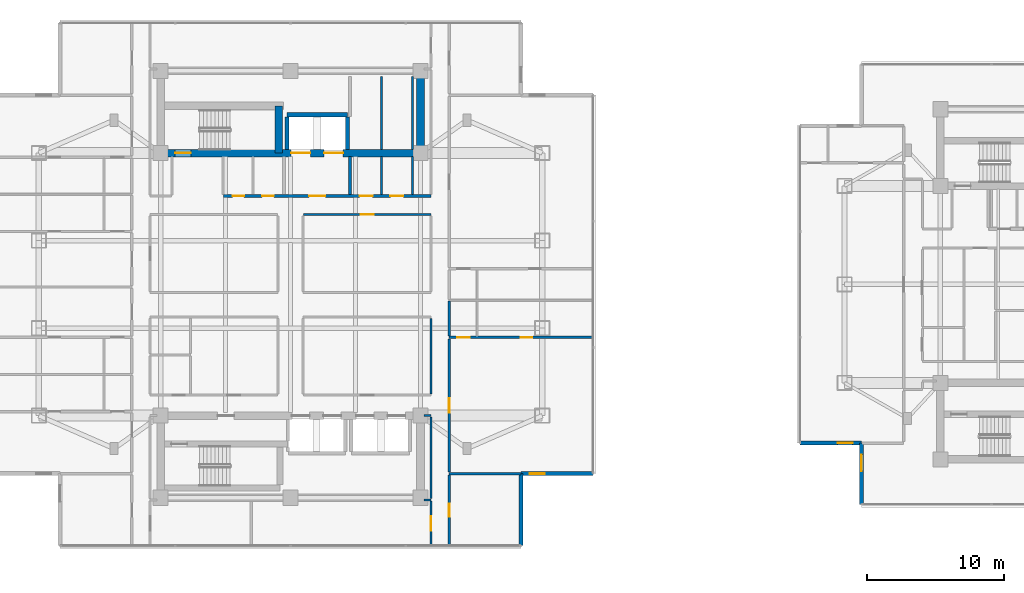
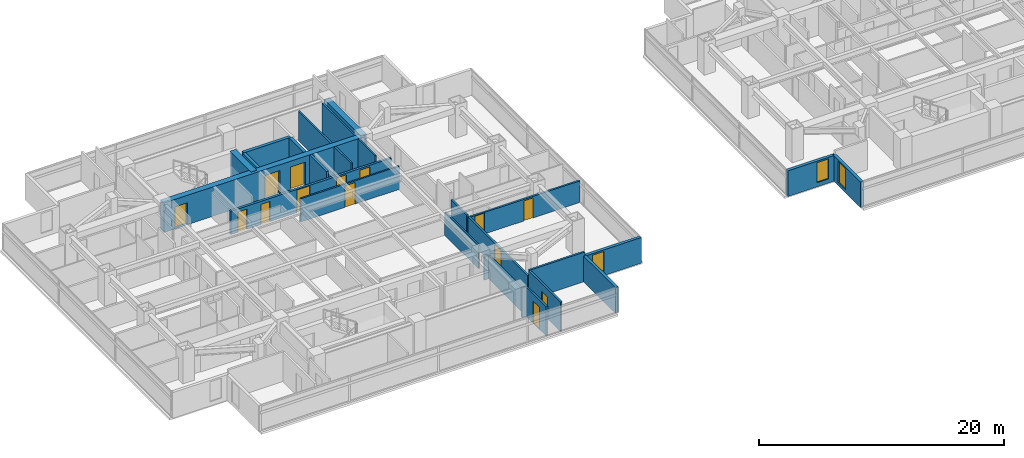
# One storey, part 15 of 24: 27 walls, 14 doors, 3 windows, 17 openings.
"""IFC4 building model written with IfcOpenShell, lengths in metres."""

from ifc_helpers import new_model, si_unit, direction, frame, frame_2d, origin, place, context, subcontext, project, spatial, rectangle, extrude, material, layer, layer_set, type_object, element, fill, save


model = new_model("IFC4")

# Units and contexts
model_context = context("Model", 3, precision=1e-05, world=origin(), true_north=direction((0.0, 1.0)))
body_context = subcontext(model_context, "Body", "Model", "MODEL_VIEW")
ifc_project = project(units=[si_unit("LENGTHUNIT", "METRE"), si_unit("AREAUNIT", "SQUARE_METRE"), si_unit("VOLUMEUNIT", "CUBIC_METRE"), si_unit("PLANEANGLEUNIT", "RADIAN"), si_unit("MASSUNIT", "GRAM", prefix="KILO")], contexts=[model_context])

# Site, building, storey
site_placement = place(None, origin())
site = spatial("IfcSite", under=ifc_project, at=site_placement, CompositionType="ELEMENT")
building_placement = place(site_placement, origin())
building = spatial("IfcBuilding", under=site, at=building_placement, Name="Mirazonda Arch Towers", CompositionType="ELEMENT")
storey_placement = place(building_placement, frame((0.0, 0.0, 144.5)))
storey = spatial("IfcBuildingStorey", under=building, at=storey_placement, Name="L41", CompositionType="ELEMENT", Elevation=144.5)

# Wall
ifc_material_1 = material(Name="Concrete C50/60", Category="concrete")
ifc_layer_1 = layer(ifc_material_1, 0.550048828125, Name="WALL-CORE-550")
ifc_layer_set_1 = layer_set([ifc_layer_1], Name="Concrete C50/60")
wall_type_1 = type_object("IfcWallType", Name="WALL-CORE-550", PredefinedType="SHEAR", material=ifc_layer_set_1)
wall_1_placement = place(storey_placement, frame((30.0, 37.60009765625, 0.0), z_axis=(0.0, 0.0, 1.0), x_axis=(0.0, 1.0, 0.0)))
element("IfcWall", 1, at=wall_1_placement, inside=storey, type_object=wall_type_1, Name="L41 T1N-E Core Shear Wall", PredefinedType="SHEAR", context=body_context, shape_type="SweptSolid", body=[
    extrude(rectangle(XDim=6.0, YDim=0.550048828125, at=frame_2d((3.0, 0.0))), origin(), (0.0, 0.0, 1.0), 2.93994140625),
])

# Wall, openings, doors
wall_2_placement = place(storey_placement, frame((11.0, 37.60009765625, 0.0), z_axis=(0.0, 0.0, 1.0), x_axis=(1.0, 0.0, 0.0)))
wall_2 = element("IfcWall", 2, at=wall_2_placement, inside=storey, type_object=wall_type_1, Name="L41 T1N-S Core Shear Wall", PredefinedType="SHEAR", context=body_context, shape_type="SweptSolid", body=[
    extrude(rectangle(XDim=19.0, YDim=0.550048828125, at=frame_2d((9.5, 0.0))), origin(), (0.0, 0.0, 1.0), 2.93994140625),
])
opening_1_placement = place(wall_2_placement, frame((1.06005859375, 0.0, 0.0)))
opening_1 = element("IfcOpeningElement", 3, at=opening_1_placement, cuts=wall_2, Name="Opening DR-135", PredefinedType="OPENING", context=body_context, shape_type="SweptSolid", body=[
    extrude(rectangle(XDim=1.14990234375, YDim=2.199951171875, at=frame_2d((0.574951171875, 1.10009765625))), frame((0.0, 0.284912109375, 0.0), z_axis=(0.0, -1.0, 0.0), x_axis=(1.0, 0.0, 0.0)), (0.0, 0.0, 1.0), 0.570068359375),
])
opening_2_placement = place(wall_2_placement, frame((9.550048828125, 0.0, 0.0)))
opening_2 = element("IfcOpeningElement", 4, at=opening_2_placement, cuts=wall_2, Name="Opening LD-112", PredefinedType="OPENING", context=body_context, shape_type="SweptSolid", body=[
    extrude(rectangle(XDim=1.39990234375, YDim=2.35009765625, at=frame_2d((0.699951171875, 1.175048828125))), frame((0.0, 0.284912109375, 0.0), z_axis=(0.0, -1.0, 0.0), x_axis=(1.0, 0.0, 0.0)), (0.0, 0.0, 1.0), 0.570068359375),
])
opening_3_placement = place(wall_2_placement, frame((11.949951171875, 0.0, 0.0)))
opening_3 = element("IfcOpeningElement", 5, at=opening_3_placement, cuts=wall_2, Name="Opening LD-112", PredefinedType="OPENING", context=body_context, shape_type="SweptSolid", body=[
    extrude(rectangle(XDim=1.39990234375, YDim=2.35009765625, at=frame_2d((0.699951171875, 1.175048828125))), frame((0.0, 0.284912109375, 0.0), z_axis=(0.0, -1.0, 0.0), x_axis=(1.0, 0.0, 0.0)), (0.0, 0.0, 1.0), 0.570068359375),
])
ifc_material_2 = material(Name="Architectural Brushed Steel S355", Category="steel")
door_type_1 = type_object("IfcDoorType", Name="DOOR-LIFT-FFL-1400", OperationType="NOTDEFINED", PredefinedType="DOOR", material=ifc_material_2)
door_1_placement = place(opening_2_placement, origin())
door_1 = element("IfcDoor", 6, at=door_1_placement, inside=storey, type_object=door_type_1, Name="L41 Lift Landing Sliding Door FFL-T1", OperationType="DOUBLE_DOOR_SLIDING", OverallHeight=2.35009765625, OverallWidth=1.39990234375, PredefinedType="DOOR", context=body_context, shape_type="SweptSolid", body=[
    extrude(rectangle(XDim=1.39990234375, YDim=2.35009765625, at=frame_2d((0.699951171875, 1.175048828125))), frame((0.0, 0.02490234375, 0.0), z_axis=(0.0, -1.0, 0.0), x_axis=(1.0, 0.0, 0.0)), (0.0, 0.0, 1.0), 0.050048828125),
])
fill(opening_2, door_1)
door_2_placement = place(opening_3_placement, origin())
door_2 = element("IfcDoor", 7, at=door_2_placement, inside=storey, type_object=door_type_1, Name="L41 Lift Landing Sliding Door SVL-T1", OperationType="DOUBLE_DOOR_SLIDING", OverallHeight=2.35009765625, OverallWidth=1.39990234375, PredefinedType="DOOR", context=body_context, shape_type="SweptSolid", body=[
    extrude(rectangle(XDim=1.39990234375, YDim=2.35009765625, at=frame_2d((0.699951171875, 1.175048828125))), frame((0.0, 0.02490234375, 0.0), z_axis=(0.0, -1.0, 0.0), x_axis=(1.0, 0.0, 0.0)), (0.0, 0.0, 1.0), 0.050048828125),
])
fill(opening_3, door_2)
door_type_2 = type_object("IfcDoorType", Name="DOOR-STAIR-FD90-1150", OperationType="NOTDEFINED", PredefinedType="DOOR", material=ifc_material_2)
door_3_placement = place(opening_1_placement, origin())
door_3 = element("IfcDoor", 8, at=door_3_placement, inside=storey, type_object=door_type_2, Name="L41 Protected Exit Stair North Door", OperationType="SINGLE_SWING_LEFT", OverallHeight=2.199951171875, OverallWidth=1.14990234375, PredefinedType="DOOR", context=body_context, shape_type="SweptSolid", body=[
    extrude(rectangle(XDim=1.14990234375, YDim=2.199951171875, at=frame_2d((0.574951171875, 1.10009765625))), frame((0.0, 0.02490234375, 0.0), z_axis=(0.0, -1.0, 0.0), x_axis=(1.0, 0.0, 0.0)), (0.0, 0.0, 1.0), 0.050048828125),
])
fill(opening_1, door_3)

# Wall
wall_3_placement = place(storey_placement, frame((19.64990234375, 37.60009765625, 0.0), z_axis=(0.0, 0.0, 1.0), x_axis=(0.0, 1.0, 0.0)))
element("IfcWall", 9, at=wall_3_placement, inside=storey, type_object=wall_type_1, Name="L41 T1N-STE Core Shear Wall", PredefinedType="SHEAR", context=body_context, shape_type="SweptSolid", body=[
    extrude(rectangle(XDim=3.44287109375, YDim=0.550048828125, at=frame_2d((1.721435546875, 0.0))), origin(), (0.0, 0.0, 1.0), 2.93994140625),
])

# Wall, opening, window
ifc_material_3 = material(Name="Precast Concrete C40/50", Category="concrete")
ifc_layer_2 = layer(ifc_material_3, 0.280029296875, Name="WALL-EXT-WALL-280")
ifc_layer_set_2 = layer_set([ifc_layer_2], Name="Precast Concrete C40/50")
wall_type_2 = type_object("IfcWallType", Name="WALL-EXT-WALL-280", PredefinedType="SOLIDWALL", material=ifc_layer_set_2)
wall_4_placement = place(storey_placement, frame((37.35009765625, 14.166015625, 0.0), z_axis=(0.0, 0.0, 1.0), x_axis=(1.0, 0.0, 0.0)))
wall_4 = element("IfcWall", 10, at=wall_4_placement, inside=storey, type_object=wall_type_2, Name="L41 T1 Corner Notch Return Wall WL-L41-T1-CSE1", PredefinedType="SOLIDWALL", context=body_context, shape_type="SweptSolid", body=[
    extrude(rectangle(XDim=5.27001953125, YDim=0.280029296875, at=frame_2d((2.635009765625, 0.0))), origin(), (0.0, 0.0, 1.0), 2.56005859375),
])
opening_4_placement = place(wall_4_placement, frame((0.64990234375, 0.0, 0.409912109375)))
opening_4 = element("IfcOpeningElement", 11, at=opening_4_placement, cuts=wall_4, Name="Opening WN-108", PredefinedType="OPENING", context=body_context, shape_type="SweptSolid", body=[
    extrude(rectangle(XDim=1.10009765625, YDim=2.0, at=frame_2d((0.550048828125, 1.0))), frame((0.0, 0.14990234375, 0.0), z_axis=(0.0, -1.0, 0.0), x_axis=(1.0, 0.0, 0.0)), (0.0, 0.0, 1.0), 0.300048828125),
])
ifc_material_4 = material(Name="Insulated Low-E Solar Glass", Category="glass")
window_type_1 = type_object("IfcWindowType", Name="WIN-NOTCH-1100x2000", PartitioningType="SINGLE_PANEL", PredefinedType="WINDOW", material=ifc_material_4)
window_1_placement = place(opening_4_placement, origin())
window_1 = element("IfcWindow", 12, at=window_1_placement, inside=storey, type_object=window_type_1, Name="L41 Punched Facade Window WN-L41-T1-CSE1", OverallHeight=2.0, OverallWidth=1.10009765625, PartitioningType="SINGLE_PANEL", PredefinedType="WINDOW", context=body_context, shape_type="SweptSolid", body=[
    extrude(rectangle(XDim=1.10009765625, YDim=2.0, at=frame_2d((0.550048828125, 1.0))), frame((0.0, 0.030029296875, 0.0), z_axis=(0.0, -1.0, 0.0), x_axis=(1.0, 0.0, 0.0)), (0.0, 0.0, 1.0), 0.06005859375),
])
fill(opening_4, window_1)

# Wall
wall_5_placement = place(storey_placement, frame((37.35009765625, 8.89599609375, 0.0), z_axis=(0.0, 0.0, 1.0), x_axis=(0.0, 1.0, 0.0)))
element("IfcWall", 13, at=wall_5_placement, inside=storey, type_object=wall_type_2, Name="L41 T1 Corner Notch Return Wall WL-L41-T1-CSE2", PredefinedType="SOLIDWALL", context=body_context, shape_type="SweptSolid", body=[
    extrude(rectangle(XDim=5.27001953125, YDim=0.280029296875, at=frame_2d((2.635009765625, 0.0))), origin(), (0.0, 0.0, 1.0), 2.56005859375),
])

# Wall, opening, window
wall_6_placement = place(storey_placement, frame((62.237548828125, 16.401123046875, 0.0), z_axis=(0.0, 0.0, 1.0), x_axis=(0.0, -1.0, 0.0)))
wall_6 = element("IfcWall", 14, at=wall_6_placement, inside=storey, type_object=wall_type_2, Name="L41 T2 Notched SW Corner Wall WL-L41-T2-CSW", PredefinedType="SOLIDWALL", context=body_context, shape_type="SweptSolid", body=[
    extrude(rectangle(XDim=4.486572265625, YDim=0.280029296875, at=frame_2d((2.2431640625, 0.0))), origin(), (0.0, 0.0, 1.0), 2.56005859375),
])
opening_5_placement = place(wall_6_placement, frame((0.85009765625, 0.0, 0.31005859375)))
opening_5 = element("IfcOpeningElement", 15, at=opening_5_placement, cuts=wall_6, Name="Opening WN-122", PredefinedType="OPENING", context=body_context, shape_type="SweptSolid", body=[
    extrude(rectangle(XDim=1.199951171875, YDim=2.10009765625, at=frame_2d((0.60009765625, 1.050048828125))), frame((0.0, 0.14990234375, 0.0), z_axis=(0.0, -1.0, 0.0), x_axis=(1.0, 0.0, 0.0)), (0.0, 0.0, 1.0), 0.300048828125),
])
window_type_2 = type_object("IfcWindowType", Name="WIN-HTL-1200x2100", PartitioningType="SINGLE_PANEL", PredefinedType="WINDOW", material=ifc_material_4)
window_2_placement = place(opening_5_placement, origin())
window_2 = element("IfcWindow", 16, at=window_2_placement, inside=storey, type_object=window_type_2, Name="L41 Punched Facade Window WN-L41-T2-CSW", OverallHeight=2.10009765625, OverallWidth=1.199951171875, PartitioningType="SINGLE_PANEL", PredefinedType="WINDOW", context=body_context, shape_type="SweptSolid", body=[
    extrude(rectangle(XDim=1.199951171875, YDim=2.10009765625, at=frame_2d((0.60009765625, 1.050048828125))), frame((0.0, 0.030029296875, 0.0), z_axis=(0.0, -1.0, 0.0), x_axis=(1.0, 0.0, 0.0)), (0.0, 0.0, 1.0), 0.06005859375),
])
fill(opening_5, window_2)

wall_7_placement = place(storey_placement, frame((57.7509765625, 16.401123046875, 0.0), z_axis=(0.0, 0.0, 1.0), x_axis=(1.0, 0.0, 0.0)))
wall_7 = element("IfcWall", 17, at=wall_7_placement, inside=storey, type_object=wall_type_2, Name="L41 T2 Corner Notch Return Wall WL-L41-T2-CSW2", PredefinedType="SOLIDWALL", context=body_context, shape_type="SweptSolid", body=[
    extrude(rectangle(XDim=4.486572265625, YDim=0.280029296875, at=frame_2d((2.2431640625, 0.0))), origin(), (0.0, 0.0, 1.0), 2.56005859375),
])
opening_6_placement = place(wall_7_placement, frame((2.736083984375, 0.0, 0.409912109375)))
opening_6 = element("IfcOpeningElement", 18, at=opening_6_placement, cuts=wall_7, Name="Opening WN-108", PredefinedType="OPENING", context=body_context, shape_type="SweptSolid", body=[
    extrude(rectangle(XDim=1.10009765625, YDim=2.0, at=frame_2d((0.550048828125, 1.0))), frame((0.0, 0.14990234375, 0.0), z_axis=(0.0, -1.0, 0.0), x_axis=(1.0, 0.0, 0.0)), (0.0, 0.0, 1.0), 0.300048828125),
])
window_3_placement = place(opening_6_placement, origin())
window_3 = element("IfcWindow", 19, at=window_3_placement, inside=storey, type_object=window_type_1, Name="L41 Punched Facade Window WN-L41-T2-CSW2", OverallHeight=2.0, OverallWidth=1.10009765625, PartitioningType="SINGLE_PANEL", PredefinedType="WINDOW", context=body_context, shape_type="SweptSolid", body=[
    extrude(rectangle(XDim=1.10009765625, YDim=2.0, at=frame_2d((0.550048828125, 1.0))), frame((0.0, 0.030029296875, 0.0), z_axis=(0.0, -1.0, 0.0), x_axis=(1.0, 0.0, 0.0)), (0.0, 0.0, 1.0), 0.06005859375),
])
fill(opening_6, window_3)

# Wall, openings, doors
ifc_material_5 = material(Name="Concrete C40/50", Category="concrete")
ifc_layer_3 = layer(ifc_material_5, 0.219970703125, Name="WALL-FFL-220")
ifc_layer_set_3 = layer_set([ifc_layer_3], Name="Concrete C40/50")
wall_type_3 = type_object("IfcWallType", Name="WALL-FFL-220", PredefinedType="SOLIDWALL", material=ifc_layer_set_3)
wall_8_placement = place(storey_placement, frame((15.590087890625, 34.449951171875, 0.0), z_axis=(0.0, 0.0, 1.0), x_axis=(1.0, 0.0, 0.0)))
wall_8 = element("IfcWall", 20, at=wall_8_placement, inside=storey, type_object=wall_type_3, Name="L41 Interior Partition 049", PredefinedType="SOLIDWALL", context=body_context, shape_type="SweptSolid", body=[
    extrude(rectangle(XDim=15.169921875, YDim=0.219970703125, at=frame_2d((7.5849609375, 0.0))), origin(), (0.0, 0.0, 1.0), 2.31591796875),
])
opening_7_placement = place(wall_8_placement, frame((6.260009765625, 0.0, 0.0)))
opening_7 = element("IfcOpeningElement", 21, at=opening_7_placement, cuts=wall_8, Name="Opening DR-117", PredefinedType="OPENING", context=body_context, shape_type="SweptSolid", body=[
    extrude(rectangle(XDim=1.199951171875, YDim=2.25, at=frame_2d((0.60009765625, 1.125))), frame((0.0, 0.119873046875, 0.0), z_axis=(0.0, -1.0, 0.0), x_axis=(1.0, 0.0, 0.0)), (0.0, 0.0, 1.0), 0.239990234375),
])
opening_8_placement = place(wall_8_placement, frame((9.9599609375, 0.0, 0.0)))
opening_8 = element("IfcOpeningElement", 22, at=opening_8_placement, cuts=wall_8, Name="Opening DR-104", PredefinedType="OPENING", context=body_context, shape_type="SweptSolid", body=[
    extrude(rectangle(XDim=0.949951171875, YDim=2.14990234375, at=frame_2d((0.47509765625, 1.074951171875))), frame((0.0, 0.119873046875, 0.0), z_axis=(0.0, -1.0, 0.0), x_axis=(1.0, 0.0, 0.0)), (0.0, 0.0, 1.0), 0.239990234375),
])
opening_9_placement = place(wall_8_placement, frame((12.2099609375, 0.0, 0.0)))
opening_9 = element("IfcOpeningElement", 23, at=opening_9_placement, cuts=wall_8, Name="Opening DR-104", PredefinedType="OPENING", context=body_context, shape_type="SweptSolid", body=[
    extrude(rectangle(XDim=0.949951171875, YDim=2.14990234375, at=frame_2d((0.47509765625, 1.074951171875))), frame((0.0, 0.119873046875, 0.0), z_axis=(0.0, -1.0, 0.0), x_axis=(1.0, 0.0, 0.0)), (0.0, 0.0, 1.0), 0.239990234375),
])
opening_10_placement = place(wall_8_placement, frame((0.675048828125, 0.0, 0.0)))
opening_10 = element("IfcOpeningElement", 24, at=opening_10_placement, cuts=wall_8, Name="Opening DR-128", PredefinedType="OPENING", context=body_context, shape_type="SweptSolid", body=[
    extrude(rectangle(XDim=0.85009765625, YDim=2.010009765625, at=frame_2d((0.425048828125, 1.0048828125))), frame((0.0, 0.119873046875, 0.0), z_axis=(0.0, -1.0, 0.0), x_axis=(1.0, 0.0, 0.0)), (0.0, 0.0, 1.0), 0.239990234375),
])
opening_11_placement = place(wall_8_placement, frame((2.8349609375, 0.0, 0.0)))
opening_11 = element("IfcOpeningElement", 25, at=opening_11_placement, cuts=wall_8, Name="Opening DR-128", PredefinedType="OPENING", context=body_context, shape_type="SweptSolid", body=[
    extrude(rectangle(XDim=0.85009765625, YDim=2.010009765625, at=frame_2d((0.425048828125, 1.0048828125))), frame((0.0, 0.119873046875, 0.0), z_axis=(0.0, -1.0, 0.0), x_axis=(1.0, 0.0, 0.0)), (0.0, 0.0, 1.0), 0.239990234375),
])
door_type_3 = type_object("IfcDoorType", Name="DOOR-FFL-FD90-1200", OperationType="NOTDEFINED", PredefinedType="DOOR", material=ifc_material_2)
door_4_placement = place(opening_7_placement, origin())
door_4 = element("IfcDoor", 26, at=door_4_placement, inside=storey, type_object=door_type_3, Name="L41 Firefighting Lift Lobby Door", OperationType="SINGLE_SWING_RIGHT", OverallHeight=2.25, OverallWidth=1.199951171875, PredefinedType="DOOR", context=body_context, shape_type="SweptSolid", body=[
    extrude(rectangle(XDim=1.199951171875, YDim=2.25, at=frame_2d((0.60009765625, 1.125))), frame((0.0, 0.02490234375, 0.0), z_axis=(0.0, -1.0, 0.0), x_axis=(1.0, 0.0, 0.0)), (0.0, 0.0, 1.0), 0.050048828125),
])
fill(opening_7, door_4)
door_type_4 = type_object("IfcDoorType", Name="DOOR-RISER-FD60-850", OperationType="NOTDEFINED", PredefinedType="DOOR", material=ifc_material_2)
door_5_placement = place(opening_10_placement, origin())
door_5 = element("IfcDoor", 27, at=door_5_placement, inside=storey, type_object=door_type_4, Name="L41 Electrical Room Door", OperationType="SINGLE_SWING_LEFT", OverallHeight=2.010009765625, OverallWidth=0.85009765625, PredefinedType="DOOR", context=body_context, shape_type="SweptSolid", body=[
    extrude(rectangle(XDim=0.85009765625, YDim=2.010009765625, at=frame_2d((0.425048828125, 1.0048828125))), frame((0.0, 0.02490234375, 0.0), z_axis=(0.0, -1.0, 0.0), x_axis=(1.0, 0.0, 0.0)), (0.0, 0.0, 1.0), 0.050048828125),
])
fill(opening_10, door_5)
door_6_placement = place(opening_11_placement, origin())
door_6 = element("IfcDoor", 28, at=door_6_placement, inside=storey, type_object=door_type_4, Name="L41 Cleaners & Housekeeping Store Door", OperationType="SINGLE_SWING_RIGHT", OverallHeight=2.010009765625, OverallWidth=0.85009765625, PredefinedType="DOOR", context=body_context, shape_type="SweptSolid", body=[
    extrude(rectangle(XDim=0.85009765625, YDim=2.010009765625, at=frame_2d((0.425048828125, 1.0048828125))), frame((0.0, 0.02490234375, 0.0), z_axis=(0.0, -1.0, 0.0), x_axis=(1.0, 0.0, 0.0)), (0.0, 0.0, 1.0), 0.050048828125),
])
fill(opening_11, door_6)
door_type_5 = type_object("IfcDoorType", Name="DOOR-ROOM-950", OperationType="NOTDEFINED", PredefinedType="DOOR", material=ifc_material_2)
door_7_placement = place(opening_8_placement, origin())
door_7 = element("IfcDoor", 29, at=door_7_placement, inside=storey, type_object=door_type_5, Name="L41 Executive Reading Library Door", OperationType="SINGLE_SWING_LEFT", OverallHeight=2.14990234375, OverallWidth=0.949951171875, PredefinedType="DOOR", context=body_context, shape_type="SweptSolid", body=[
    extrude(rectangle(XDim=0.949951171875, YDim=2.14990234375, at=frame_2d((0.47509765625, 1.074951171875))), frame((0.0, 0.02490234375, 0.0), z_axis=(0.0, -1.0, 0.0), x_axis=(1.0, 0.0, 0.0)), (0.0, 0.0, 1.0), 0.050048828125),
])
fill(opening_8, door_7)
door_8_placement = place(opening_9_placement, origin())
door_8 = element("IfcDoor", 30, at=door_8_placement, inside=storey, type_object=door_type_5, Name="L41 Private Quiet Study Door", OperationType="SINGLE_SWING_RIGHT", OverallHeight=2.14990234375, OverallWidth=0.949951171875, PredefinedType="DOOR", context=body_context, shape_type="SweptSolid", body=[
    extrude(rectangle(XDim=0.949951171875, YDim=2.14990234375, at=frame_2d((0.47509765625, 1.074951171875))), frame((0.0, 0.02490234375, 0.0), z_axis=(0.0, -1.0, 0.0), x_axis=(1.0, 0.0, 0.0)), (0.0, 0.0, 1.0), 0.050048828125),
])
fill(opening_9, door_8)

# Walls
wall_9_placement = place(storey_placement, frame((24.85009765625, 34.570068359375, 0.0), z_axis=(0.0, 0.0, 1.0), x_axis=(0.0, 1.0, 0.0)))
element("IfcWall", 31, at=wall_9_placement, inside=storey, type_object=wall_type_3, Name="L41 Interior Partition 102", PredefinedType="SOLIDWALL", context=body_context, shape_type="SweptSolid", body=[
    extrude(rectangle(XDim=2.760009765625, YDim=0.219970703125, at=frame_2d((1.3798828125, 0.0))), origin(), (0.0, 0.0, 1.0), 2.93994140625),
])
ifc_material_6 = material(Name="Fire-Rated Gypsum Stud Partition")
ifc_layer_4 = layer(ifc_material_6, 0.14990234375, Name="WALL-PART-CORR-150")
ifc_layer_set_4 = layer_set([ifc_layer_4], Name="Fire-Rated Gypsum Stud Partition")
wall_type_4 = type_object("IfcWallType", Name="WALL-PART-CORR-150", PredefinedType="PARTITIONING", material=ifc_layer_set_4)
wall_10_placement = place(storey_placement, frame((30.27001953125, 12.25, 0.0), z_axis=(0.0, 0.0, 1.0), x_axis=(1.0, 0.0, 0.0)))
element("IfcWall", 32, at=wall_10_placement, inside=storey, type_object=wall_type_4, Name="L41 Interior Partition 002", PredefinedType="PARTITIONING", context=body_context, shape_type="SweptSolid", body=[
    extrude(rectangle(XDim=0.489990234375, YDim=0.14990234375, at=frame_2d((0.2451171875, 0.0))), origin(), (0.0, 0.0, 1.0), 2.93994140625),
])
wall_11_placement = place(storey_placement, frame((30.27001953125, 18.39990234375, 0.0), z_axis=(0.0, 0.0, 1.0), x_axis=(1.0, 0.0, 0.0)))
element("IfcWall", 33, at=wall_11_placement, inside=storey, type_object=wall_type_4, Name="L41 Interior Partition 013", PredefinedType="PARTITIONING", context=body_context, shape_type="SweptSolid", body=[
    extrude(rectangle(XDim=0.489990234375, YDim=0.14990234375, at=frame_2d((0.2451171875, 0.0))), origin(), (0.0, 0.0, 1.0), 2.31591796875),
])

# Wall, opening, door
wall_12_placement = place(storey_placement, frame((21.43994140625, 33.10009765625, 0.0), z_axis=(0.0, 0.0, 1.0), x_axis=(1.0, 0.0, 0.0)))
wall_12 = element("IfcWall", 34, at=wall_12_placement, inside=storey, type_object=wall_type_4, Name="L41 Interior Partition 046", PredefinedType="PARTITIONING", context=body_context, shape_type="SweptSolid", body=[
    extrude(rectangle(XDim=9.320068359375, YDim=0.14990234375, at=frame_2d((4.66015625, 0.0))), origin(), (0.0, 0.0, 1.0), 2.31591796875),
])
opening_12_placement = place(wall_12_placement, frame((4.18505859375, 0.0, 0.0)))
opening_12 = element("IfcOpeningElement", 35, at=opening_12_placement, cuts=wall_12, Name="Opening DR-104", PredefinedType="OPENING", context=body_context, shape_type="SweptSolid", body=[
    extrude(rectangle(XDim=0.949951171875, YDim=2.14990234375, at=frame_2d((0.47509765625, 1.074951171875))), frame((0.0, 0.0849609375, 0.0), z_axis=(0.0, -1.0, 0.0), x_axis=(1.0, 0.0, 0.0)), (0.0, 0.0, 1.0), 0.169921875),
])
door_9_placement = place(opening_12_placement, origin())
door_9 = element("IfcDoor", 36, at=door_9_placement, inside=storey, type_object=door_type_5, Name="L41 L41 North-East Cruciform Study Door", OperationType="SINGLE_SWING_LEFT", OverallHeight=2.14990234375, OverallWidth=0.949951171875, PredefinedType="DOOR", context=body_context, shape_type="SweptSolid", body=[
    extrude(rectangle(XDim=0.949951171875, YDim=2.14990234375, at=frame_2d((0.47509765625, 1.074951171875))), frame((0.0, 0.02490234375, 0.0), z_axis=(0.0, -1.0, 0.0), x_axis=(1.0, 0.0, 0.0)), (0.0, 0.0, 1.0), 0.050048828125),
])
fill(opening_12, door_9)

# Walls
wall_13_placement = place(storey_placement, frame((27.14990234375, 34.570068359375, 0.0), z_axis=(0.0, 0.0, 1.0), x_axis=(0.0, 1.0, 0.0)))
element("IfcWall", 37, at=wall_13_placement, inside=storey, type_object=wall_type_4, Name="L41 Interior Partition 104", PredefinedType="PARTITIONING", context=body_context, shape_type="SweptSolid", body=[
    extrude(rectangle(XDim=2.760009765625, YDim=0.14990234375, at=frame_2d((1.3798828125, 0.0))), origin(), (0.0, 0.0, 1.0), 2.93994140625),
])
wall_14_placement = place(storey_placement, frame((27.14990234375, 37.8701171875, 0.0), z_axis=(0.0, 0.0, 1.0), x_axis=(0.0, 1.0, 0.0)))
element("IfcWall", 38, at=wall_14_placement, inside=storey, type_object=wall_type_4, Name="L41 Interior Partition 105", PredefinedType="PARTITIONING", context=body_context, shape_type="SweptSolid", body=[
    extrude(rectangle(XDim=5.329833984375, YDim=0.14990234375, at=frame_2d((2.6650390625, 0.0))), origin(), (0.0, 0.0, 1.0), 2.93994140625),
])
wall_15_placement = place(storey_placement, frame((29.39990234375, 34.570068359375, 0.0), z_axis=(0.0, 0.0, 1.0), x_axis=(0.0, 1.0, 0.0)))
element("IfcWall", 39, at=wall_15_placement, inside=storey, type_object=wall_type_4, Name="L41 Interior Partition 107", PredefinedType="PARTITIONING", context=body_context, shape_type="SweptSolid", body=[
    extrude(rectangle(XDim=2.760009765625, YDim=0.14990234375, at=frame_2d((1.3798828125, 0.0))), origin(), (0.0, 0.0, 1.0), 2.93994140625),
])
wall_16_placement = place(storey_placement, frame((29.39990234375, 37.8701171875, 0.0), z_axis=(0.0, 0.0, 1.0), x_axis=(0.0, 1.0, 0.0)))
element("IfcWall", 40, at=wall_16_placement, inside=storey, type_object=wall_type_4, Name="L41 Interior Partition 108", PredefinedType="PARTITIONING", context=body_context, shape_type="SweptSolid", body=[
    extrude(rectangle(XDim=5.329833984375, YDim=0.14990234375, at=frame_2d((2.6650390625, 0.0))), origin(), (0.0, 0.0, 1.0), 2.93994140625),
])

# Wall, opening, door
wall_17_placement = place(storey_placement, frame((30.760009765625, 8.89599609375, 0.0), z_axis=(0.0, 0.0, 1.0), x_axis=(0.0, 1.0, 0.0)))
wall_17 = element("IfcWall", 41, at=wall_17_placement, inside=storey, type_object=wall_type_4, Name="L41 Interior Partition 109", PredefinedType="PARTITIONING", context=body_context, shape_type="SweptSolid", body=[
    extrude(rectangle(XDim=3.26904296875, YDim=0.14990234375, at=frame_2d((1.634521484375, 0.0))), origin(), (0.0, 0.0, 1.0), 2.93994140625),
])
opening_13_placement = place(wall_17_placement, frame((1.109619140625, 0.0, 0.0)))
opening_13 = element("IfcOpeningElement", 42, at=opening_13_placement, cuts=wall_17, Name="Opening DR-121", PredefinedType="OPENING", context=body_context, shape_type="SweptSolid", body=[
    extrude(rectangle(XDim=1.050048828125, YDim=2.199951171875, at=frame_2d((0.52490234375, 1.10009765625))), frame((0.0, 0.0849609375, 0.0), z_axis=(0.0, -1.0, 0.0), x_axis=(1.0, 0.0, 0.0)), (0.0, 0.0, 1.0), 0.169921875),
])
door_type_6 = type_object("IfcDoorType", Name="DOOR-SUITE-FD60-1050", OperationType="NOTDEFINED", PredefinedType="DOOR", material=ifc_material_2)
door_10_placement = place(opening_13_placement, origin())
door_10 = element("IfcDoor", 43, at=door_10_placement, inside=storey, type_object=door_type_6, Name="L41 South Horizon Lounge Grand Door", OperationType="SINGLE_SWING_LEFT", OverallHeight=2.199951171875, OverallWidth=1.050048828125, PredefinedType="DOOR", context=body_context, shape_type="SweptSolid", body=[
    extrude(rectangle(XDim=1.050048828125, YDim=2.199951171875, at=frame_2d((0.52490234375, 1.10009765625))), frame((0.0, 0.02490234375, 0.0), z_axis=(0.0, -1.0, 0.0), x_axis=(1.0, 0.0, 0.0)), (0.0, 0.0, 1.0), 0.050048828125),
])
fill(opening_13, door_10)

# Walls
wall_18_placement = place(storey_placement, frame((30.760009765625, 12.3349609375, 0.0), z_axis=(0.0, 0.0, 1.0), x_axis=(0.0, 1.0, 0.0)))
element("IfcWall", 44, at=wall_18_placement, inside=storey, type_object=wall_type_4, Name="L41 Interior Partition 110", PredefinedType="PARTITIONING", context=body_context, shape_type="SweptSolid", body=[
    extrude(rectangle(XDim=5.97998046875, YDim=0.14990234375, at=frame_2d((2.989990234375, 0.0))), origin(), (0.0, 0.0, 1.0), 2.31591796875),
])
wall_19_placement = place(storey_placement, frame((30.760009765625, 19.985107421875, 0.0), z_axis=(0.0, 0.0, 1.0), x_axis=(0.0, 1.0, 0.0)))
element("IfcWall", 45, at=wall_19_placement, inside=storey, type_object=wall_type_4, Name="L41 Interior Partition 111", PredefinedType="PARTITIONING", context=body_context, shape_type="SweptSolid", body=[
    extrude(rectangle(XDim=5.52978515625, YDim=0.14990234375, at=frame_2d((2.764892578125, 0.0))), origin(), (0.0, 0.0, 1.0), 2.31591796875),
])
ifc_material_7 = material(Name="Fire-Rated Gypsum Twin-Stud Assembly")
ifc_layer_5 = layer(ifc_material_7, 0.179931640625, Name="WALL-PART-DEMISE-180")
ifc_layer_set_5 = layer_set([ifc_layer_5], Name="Fire-Rated Gypsum Twin-Stud Assembly")
wall_type_5 = type_object("IfcWallType", Name="WALL-PART-DEMISE-180", PredefinedType="PARTITIONING", material=ifc_layer_set_5)
wall_20_placement = place(storey_placement, frame((32.10009765625, 14.166015625, 0.0), z_axis=(0.0, 0.0, 1.0), x_axis=(1.0, 0.0, 0.0)))
element("IfcWall", 46, at=wall_20_placement, inside=storey, type_object=wall_type_5, Name="L41 Interior Partition 005", PredefinedType="PARTITIONING", context=body_context, shape_type="SweptSolid", body=[
    extrude(rectangle(XDim=5.22998046875, YDim=0.179931640625, at=frame_2d((2.614990234375, 0.0))), origin(), (0.0, 0.0, 1.0), 2.93994140625),
])

# Wall, openings, doors
wall_21_placement = place(storey_placement, frame((32.10009765625, 24.117919921875, 0.0), z_axis=(0.0, 0.0, 1.0), x_axis=(1.0, 0.0, 0.0)))
wall_21 = element("IfcWall", 47, at=wall_21_placement, inside=storey, type_object=wall_type_5, Name="L41 Interior Partition 027", PredefinedType="PARTITIONING", context=body_context, shape_type="SweptSolid", body=[
    extrude(rectangle(XDim=10.52001953125, YDim=0.179931640625, at=frame_2d((5.260009765625, 0.0))), origin(), (0.0, 0.0, 1.0), 2.158935546875),
])
opening_14_placement = place(wall_21_placement, frame((5.235107421875, 0.0, 0.0)))
opening_14 = element("IfcOpeningElement", 48, at=opening_14_placement, cuts=wall_21, Name="Opening DR-128", PredefinedType="OPENING", context=body_context, shape_type="SweptSolid", body=[
    extrude(rectangle(XDim=0.85009765625, YDim=2.010009765625, at=frame_2d((0.425048828125, 1.0048828125))), frame((0.0, 0.099853515625, 0.0), z_axis=(0.0, -1.0, 0.0), x_axis=(1.0, 0.0, 0.0)), (0.0, 0.0, 1.0), 0.199951171875),
])
opening_15_placement = place(wall_21_placement, frame((0.590087890625, 0.0, 0.0)))
opening_15 = element("IfcOpeningElement", 49, at=opening_15_placement, cuts=wall_21, Name="Opening DR-120", PredefinedType="OPENING", context=body_context, shape_type="SweptSolid", body=[
    extrude(rectangle(XDim=0.89990234375, YDim=2.10009765625, at=frame_2d((0.449951171875, 1.050048828125))), frame((0.0, 0.099853515625, 0.0), z_axis=(0.0, -1.0, 0.0), x_axis=(1.0, 0.0, 0.0)), (0.0, 0.0, 1.0), 0.199951171875),
])
door_11_placement = place(opening_14_placement, origin())
door_11 = element("IfcDoor", 50, at=door_11_placement, inside=storey, type_object=door_type_4, Name="L41 Suite Bedroom 1 Door", OperationType="SINGLE_SWING_LEFT", OverallHeight=2.010009765625, OverallWidth=0.85009765625, PredefinedType="DOOR", context=body_context, shape_type="SweptSolid", body=[
    extrude(rectangle(XDim=0.85009765625, YDim=2.010009765625, at=frame_2d((0.425048828125, 1.0048828125))), frame((0.0, 0.02490234375, 0.0), z_axis=(0.0, -1.0, 0.0), x_axis=(1.0, 0.0, 0.0)), (0.0, 0.0, 1.0), 0.050048828125),
])
fill(opening_14, door_11)
door_type_7 = type_object("IfcDoorType", Name="DOOR-WC-900", OperationType="NOTDEFINED", PredefinedType="DOOR", material=ifc_material_2)
door_12_placement = place(opening_15_placement, origin())
door_12 = element("IfcDoor", 51, at=door_12_placement, inside=storey, type_object=door_type_7, Name="L41 Suite En-Suite Bathroom 1 Door", OperationType="SINGLE_SWING_RIGHT", OverallHeight=2.10009765625, OverallWidth=0.89990234375, PredefinedType="DOOR", context=body_context, shape_type="SweptSolid", body=[
    extrude(rectangle(XDim=0.89990234375, YDim=2.10009765625, at=frame_2d((0.449951171875, 1.050048828125))), frame((0.0, 0.02490234375, 0.0), z_axis=(0.0, -1.0, 0.0), x_axis=(1.0, 0.0, 0.0)), (0.0, 0.0, 1.0), 0.050048828125),
])
fill(opening_15, door_12)

# Wall, opening, door
wall_22_placement = place(storey_placement, frame((32.10009765625, 8.89599609375, 0.0), z_axis=(0.0, 0.0, 1.0), x_axis=(0.0, 1.0, 0.0)))
wall_22 = element("IfcWall", 52, at=wall_22_placement, inside=storey, type_object=wall_type_5, Name="L41 Interior Partition 115", PredefinedType="PARTITIONING", context=body_context, shape_type="SweptSolid", body=[
    extrude(rectangle(XDim=5.169921875, YDim=0.179931640625, at=frame_2d((2.5849609375, 0.0))), origin(), (0.0, 0.0, 1.0), 2.93994140625),
])
opening_16_placement = place(wall_22_placement, frame((2.110107421875, 0.0, 0.0)))
opening_16 = element("IfcOpeningElement", 53, at=opening_16_placement, cuts=wall_22, Name="Opening DR-104", PredefinedType="OPENING", context=body_context, shape_type="SweptSolid", body=[
    extrude(rectangle(XDim=0.949951171875, YDim=2.14990234375, at=frame_2d((0.47509765625, 1.074951171875))), frame((0.0, 0.099853515625, 0.0), z_axis=(0.0, -1.0, 0.0), x_axis=(1.0, 0.0, 0.0)), (0.0, 0.0, 1.0), 0.199951171875),
])
door_13_placement = place(opening_16_placement, origin())
door_13 = element("IfcDoor", 54, at=door_13_placement, inside=storey, type_object=door_type_5, Name="L41 South Horizon Lounge Alcove East Door", OperationType="SINGLE_SWING_LEFT", OverallHeight=2.14990234375, OverallWidth=0.949951171875, PredefinedType="DOOR", context=body_context, shape_type="SweptSolid", body=[
    extrude(rectangle(XDim=0.949951171875, YDim=2.14990234375, at=frame_2d((0.47509765625, 1.074951171875))), frame((0.0, 0.02490234375, 0.0), z_axis=(0.0, -1.0, 0.0), x_axis=(1.0, 0.0, 0.0)), (0.0, 0.0, 1.0), 0.050048828125),
])
fill(opening_16, door_13)

wall_23_placement = place(storey_placement, frame((32.10009765625, 14.26611328125, 0.0), z_axis=(0.0, 0.0, 1.0), x_axis=(0.0, 1.0, 0.0)))
wall_23 = element("IfcWall", 55, at=wall_23_placement, inside=storey, type_object=wall_type_5, Name="L41 Interior Partition 116", PredefinedType="PARTITIONING", context=body_context, shape_type="SweptSolid", body=[
    extrude(rectangle(XDim=9.751953125, YDim=0.179931640625, at=frame_2d((4.8759765625, 0.0))), origin(), (0.0, 0.0, 1.0), 2.31591796875),
])
opening_17_placement = place(wall_23_placement, frame((4.35107421875, 0.0, 0.0)))
opening_17 = element("IfcOpeningElement", 56, at=opening_17_placement, cuts=wall_23, Name="Opening DR-121", PredefinedType="OPENING", context=body_context, shape_type="SweptSolid", body=[
    extrude(rectangle(XDim=1.050048828125, YDim=2.199951171875, at=frame_2d((0.52490234375, 1.10009765625))), frame((0.0, 0.099853515625, 0.0), z_axis=(0.0, -1.0, 0.0), x_axis=(1.0, 0.0, 0.0)), (0.0, 0.0, 1.0), 0.199951171875),
])
door_14_placement = place(opening_17_placement, origin())
door_14 = element("IfcDoor", 57, at=door_14_placement, inside=storey, type_object=door_type_6, Name="L41 Presidential Hotel Suite 1 Door", OperationType="SINGLE_SWING_RIGHT", OverallHeight=2.199951171875, OverallWidth=1.050048828125, PredefinedType="DOOR", context=body_context, shape_type="SweptSolid", body=[
    extrude(rectangle(XDim=1.050048828125, YDim=2.199951171875, at=frame_2d((0.52490234375, 1.10009765625))), frame((0.0, 0.02490234375, 0.0), z_axis=(0.0, -1.0, 0.0), x_axis=(1.0, 0.0, 0.0)), (0.0, 0.0, 1.0), 0.050048828125),
])
fill(opening_17, door_14)

# Walls
wall_24_placement = place(storey_placement, frame((32.10009765625, 24.218017578125, 0.0), z_axis=(0.0, 0.0, 1.0), x_axis=(0.0, 1.0, 0.0)))
element("IfcWall", 58, at=wall_24_placement, inside=storey, type_object=wall_type_5, Name="L41 Interior Partition 117", PredefinedType="PARTITIONING", context=body_context, shape_type="SweptSolid", body=[
    extrude(rectangle(XDim=2.54736328125, YDim=0.179931640625, at=frame_2d((1.273681640625, 0.0))), origin(), (0.0, 0.0, 1.0), 2.31591796875),
])
ifc_layer_6 = layer(ifc_material_1, 0.300048828125, Name="WALL-SHAFT-300")
ifc_layer_set_6 = layer_set([ifc_layer_6], Name="Concrete C50/60")
wall_type_6 = type_object("IfcWallType", Name="WALL-SHAFT-300", PredefinedType="SOLIDWALL", material=ifc_layer_set_6)
wall_25_placement = place(storey_placement, frame((20.25, 40.39990234375, 0.0), z_axis=(0.0, 0.0, 1.0), x_axis=(1.0, 0.0, 0.0)))
element("IfcWall", 59, at=wall_25_placement, inside=storey, type_object=wall_type_6, Name="L41 Interior Partition 058", PredefinedType="SOLIDWALL", context=body_context, shape_type="SweptSolid", body=[
    extrude(rectangle(XDim=4.39990234375, YDim=0.300048828125, at=frame_2d((2.199951171875, 0.0))), origin(), (0.0, 0.0, 1.0), 2.93994140625),
])
for number, where, z_axis, x_axis, name in (
    (60, (20.25, 37.8701171875, 0.0), (0.0, 0.0, 1.0), (0.0, 1.0, 0.0), "L41 Interior Partition 096"),
    (61, (24.64990234375, 37.8701171875, 0.0), (0.0, 0.0, 1.0), (0.0, 1.0, 0.0), "L41 Interior Partition 100"),
):
    element("IfcWall", number, at=place(storey_placement, frame(where, z_axis=z_axis, x_axis=x_axis)), inside=storey, type_object=wall_type_6, Name=name, PredefinedType="SOLIDWALL", context=body_context, shape_type="SweptSolid", body=[
        extrude(rectangle(XDim=2.369873046875, YDim=0.300048828125, at=frame_2d((1.18505859375, 0.0))), origin(), (0.0, 0.0, 1.0), 2.93994140625),
    ])

save(model, "model.ifc")
